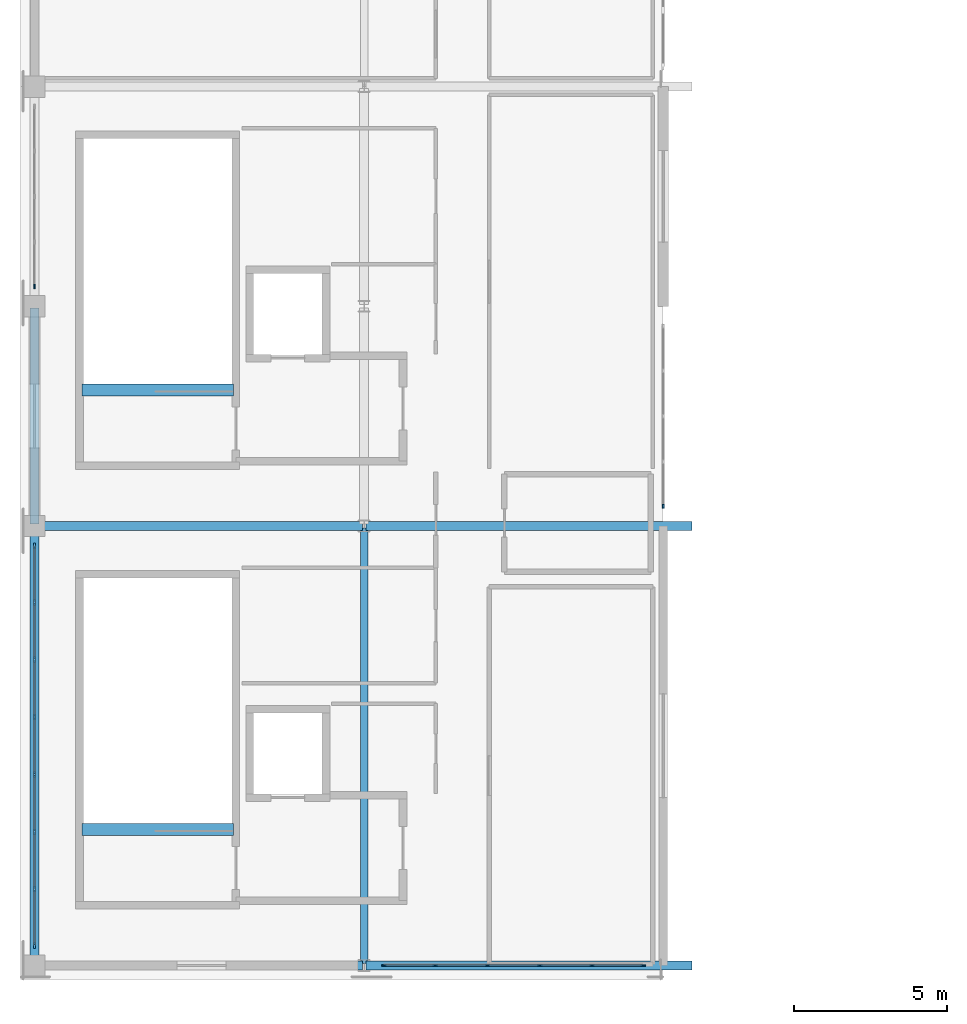
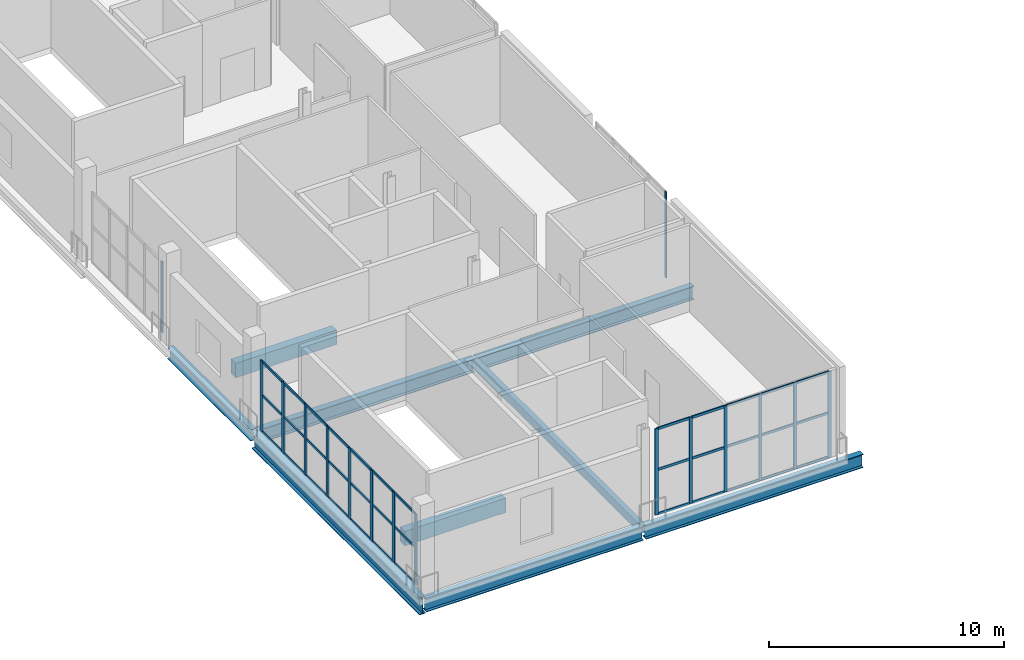
# One storey, part 3 of 19: 52 members, 9 beams, 4 elements without a shape of their own.
"""IFC4 building model written with IfcOpenShell, lengths in metres."""

from ifc_helpers import new_model, si_unit, direction, frame, origin, origin_2d, place, context, subcontext, project, spatial, rectangle, hollow_rectangle, i_section, extrude, material, material_profile, profile_set, type_object, element, aggregate, save


model = new_model("IFC4")

# Units and contexts
model_context = context("Model", 3, precision=1e-05, world=origin(), true_north=direction((0.0, 1.0)))
body_context = subcontext(model_context, "Body", "Model", "MODEL_VIEW")
ifc_project = project(units=[si_unit("LENGTHUNIT", "METRE"), si_unit("AREAUNIT", "SQUARE_METRE"), si_unit("VOLUMEUNIT", "CUBIC_METRE"), si_unit("PLANEANGLEUNIT", "RADIAN"), si_unit("MASSUNIT", "GRAM", prefix="KILO")], contexts=[model_context])

# Site, building, storey
site_placement = place(None, origin())
site = spatial("IfcSite", under=ifc_project, at=site_placement, CompositionType="ELEMENT")
building_placement = place(site_placement, origin())
building = spatial("IfcBuilding", under=site, at=building_placement, Name="Koshinbarg Plaza Stadium", CompositionType="ELEMENT")
storey_placement = place(building_placement, frame((0.0, 0.0, 29.39990234375)))
storey = spatial("IfcBuildingStorey", under=building, at=storey_placement, Name="L06", CompositionType="ELEMENT", Elevation=29.39990234375)

# Beams
ifc_material_1 = material(Name="Concrete C40/50", Category="concrete")
ifc_material_profile_1 = material_profile(ifc_material_1, rectangle(XDim=0.39990234375, YDim=0.75, at=origin_2d()), Name="RC 400x750")
ifc_profile_set_1 = profile_set([ifc_material_profile_1], Name="Concrete C40/50")
beam_type_1 = type_object("IfcBeamType", Name="BM-RCG-03", PredefinedType="USERDEFINED", material=ifc_profile_set_1)
for number, where, z_axis, x_axis, name in (
    (1, (26.14990234375, 29.9599609375, -0.375), (1.0, 0.0, 0.0), (0.0, 1.0, 0.0), "L06 stair landing header beam C01"),
    (2, (26.14990234375, 44.360107421875, -0.375), (1.0, 0.0, 0.0), (0.0, 1.0, 0.0), "L06 stair landing header beam C02"),
):
    element("IfcBeam", number, at=place(storey_placement, frame(where, z_axis=z_axis, x_axis=x_axis)), inside=storey, type_object=beam_type_1, Name=name, ObjectType="GIRDER", PredefinedType="USERDEFINED", context=body_context, shape_type="SweptSolid", body=[
        extrude(rectangle(XDim=0.39990234375, YDim=0.75, at=origin_2d()), origin(), (0.0, 0.0, 1.0), 4.97021484375),
    ])
ifc_material_2 = material(Name="Steel S355", Category="steel")
ifc_material_profile_2 = material_profile(ifc_material_2, i_section(OverallWidth=0.300048828125, OverallDepth=0.60009765625, WebThickness=0.015380859375, FlangeThickness=0.030029296875, at=origin_2d()), Name="HEB 600")
ifc_profile_set_2 = profile_set([ifc_material_profile_2], Name="Steel S355")
beam_type_2 = type_object("IfcBeamType", Name="BM-SGIR-02", PredefinedType="USERDEFINED", material=ifc_profile_set_2)
beam_1_placement = place(storey_placement, frame((24.60009765625, 39.9599609375, -0.599853515625), z_axis=(0.0, 1.0, 0.0), x_axis=(-1.0, 0.0, 0.0)))
element("IfcBeam", 3, at=beam_1_placement, inside=storey, type_object=beam_type_2, Name="L06 Y girder 5/F-G", ObjectType="GIRDER", PredefinedType="USERDEFINED", context=body_context, shape_type="SweptSolid", body=[
    extrude(i_section(OverallWidth=0.300048828125, OverallDepth=0.60009765625, WebThickness=0.015380859375, FlangeThickness=0.030029296875, at=origin_2d()), origin(), (0.0, 0.0, 1.0), 7.080078125),
])
ifc_material_profile_3 = material_profile(ifc_material_2, i_section(OverallWidth=0.300048828125, OverallDepth=0.699951171875, WebThickness=0.01708984375, FlangeThickness=0.031982421875, at=origin_2d()), Name="HEB 700")
ifc_profile_set_3 = profile_set([ifc_material_profile_3], Name="Steel S355")
beam_type_3 = type_object("IfcBeamType", Name="BM-SGIR-03", PredefinedType="USERDEFINED", material=ifc_profile_set_3)
beam_2_placement = place(storey_placement, frame((24.659912109375, 25.5, -0.64990234375), z_axis=(1.0, 0.0, 0.0), x_axis=(0.0, 1.0, 0.0)))
element("IfcBeam", 4, at=beam_2_placement, inside=storey, type_object=beam_type_3, Name="L06 X girder E/5-6", ObjectType="GIRDER", PredefinedType="USERDEFINED", context=body_context, shape_type="SweptSolid", body=[
    extrude(i_section(OverallWidth=0.300048828125, OverallDepth=0.699951171875, WebThickness=0.01708984375, FlangeThickness=0.031982421875, at=origin_2d()), origin(), (0.0, 0.0, 1.0), 10.68017578125),
])
beam_3_placement = place(storey_placement, frame((35.4599609375, 25.5, -0.64990234375), z_axis=(1.0, 0.0, 0.0), x_axis=(0.0, 1.0, 0.0)))
element("IfcBeam", 5, at=beam_3_placement, inside=storey, type_object=beam_type_3, Name="L06 X girder E/6-7", ObjectType="GIRDER", PredefinedType="USERDEFINED", context=body_context, shape_type="SweptSolid", body=[
    extrude(i_section(OverallWidth=0.300048828125, OverallDepth=0.699951171875, WebThickness=0.01708984375, FlangeThickness=0.031982421875, at=origin_2d()), origin(), (0.0, 0.0, 1.0), 10.679931640625),
])
beam_4_placement = place(storey_placement, frame((24.659912109375, 39.89990234375, -0.64990234375), z_axis=(1.0, 0.0, 0.0), x_axis=(0.0, 1.0, 0.0)))
element("IfcBeam", 6, at=beam_4_placement, inside=storey, type_object=beam_type_3, Name="L06 X girder F/5-6", ObjectType="GIRDER", PredefinedType="USERDEFINED", context=body_context, shape_type="SweptSolid", body=[
    extrude(i_section(OverallWidth=0.300048828125, OverallDepth=0.699951171875, WebThickness=0.01708984375, FlangeThickness=0.031982421875, at=origin_2d()), origin(), (0.0, 0.0, 1.0), 10.68017578125),
])
beam_5_placement = place(storey_placement, frame((35.4599609375, 39.89990234375, -0.64990234375), z_axis=(1.0, 0.0, 0.0), x_axis=(0.0, 1.0, 0.0)))
element("IfcBeam", 7, at=beam_5_placement, inside=storey, type_object=beam_type_3, Name="L06 X girder F/6-7", ObjectType="GIRDER", PredefinedType="USERDEFINED", context=body_context, shape_type="SweptSolid", body=[
    extrude(i_section(OverallWidth=0.300048828125, OverallDepth=0.699951171875, WebThickness=0.01708984375, FlangeThickness=0.031982421875, at=origin_2d()), origin(), (0.0, 0.0, 1.0), 10.679931640625),
])
ifc_material_profile_4 = material_profile(ifc_material_2, i_section(OverallWidth=0.300048828125, OverallDepth=0.89990234375, WebThickness=0.0185546875, FlangeThickness=0.034912109375, at=origin_2d()), Name="HEB 900")
ifc_profile_set_4 = profile_set([ifc_material_profile_4], Name="Steel S355")
beam_type_4 = type_object("IfcBeamType", Name="BM-SGIR-05", PredefinedType="USERDEFINED", material=ifc_profile_set_4)
beam_6_placement = place(storey_placement, frame((24.60009765625, 25.56005859375, -0.75), z_axis=(0.0, 1.0, 0.0), x_axis=(-1.0, 0.0, 0.0)))
element("IfcBeam", 8, at=beam_6_placement, inside=storey, type_object=beam_type_4, Name="L06 Y girder 5/E-F", ObjectType="GIRDER", PredefinedType="USERDEFINED", context=body_context, shape_type="SweptSolid", body=[
    extrude(i_section(OverallWidth=0.300048828125, OverallDepth=0.89990234375, WebThickness=0.0185546875, FlangeThickness=0.034912109375, at=origin_2d()), origin(), (0.0, 0.0, 1.0), 14.280029296875),
])
ifc_material_profile_5 = material_profile(ifc_material_2, hollow_rectangle(XDim=0.25, YDim=0.449951171875, WallThickness=0.01611328125, at=origin_2d()), Name="RHS 450x250x16")
ifc_profile_set_5 = profile_set([ifc_material_profile_5], Name="Steel S355")
beam_type_5 = type_object("IfcBeamType", Name="BM-SGIR-06", PredefinedType="USERDEFINED", material=ifc_profile_set_5)
beam_7_placement = place(storey_placement, frame((35.39990234375, 25.56005859375, -0.52490234375), z_axis=(0.0, 1.0, 0.0), x_axis=(-1.0, 0.0, 0.0)))
element("IfcBeam", 9, at=beam_7_placement, inside=storey, type_object=beam_type_5, Name="L06 Y girder 6/E-F", ObjectType="GIRDER", PredefinedType="USERDEFINED", context=body_context, shape_type="SweptSolid", body=[
    extrude(hollow_rectangle(XDim=0.25, YDim=0.449951171875, WallThickness=0.01611328125, at=origin_2d()), origin(), (0.0, 0.0, 1.0), 14.280029296875),
])

# Curtain wall, member
ifc_material_3 = material(Name="Thermally broken anodised aluminium and low-E double glazing", Category="aluminium")
curtain_wall_type_1 = type_object("IfcCurtainWallType", Name="CW-SYS-09", PredefinedType="NOTDEFINED", material=ifc_material_3)
curtain_wall_1_placement = place(storey_placement, origin())
curtain_wall_1 = element("IfcCurtainWall", 10, at=curtain_wall_1_placement, inside=storey, type_object=curtain_wall_type_1, Name="L06 unitised curtain wall CW-L06-152", PredefinedType="NOTDEFINED")
ifc_material_4 = material(Name="Anodised aluminium mullion", Category="aluminium")
ifc_material_profile_6 = material_profile(ifc_material_4, rectangle(XDim=0.06005859375, YDim=0.139892578125, at=origin_2d()), Name="ALU 60x140")
ifc_profile_set_6 = profile_set([ifc_material_profile_6], Name="Anodised aluminium mullion")
member_type_1 = type_object("IfcMemberType", Name="CW-MUL-01", PredefinedType="MULLION", material=ifc_profile_set_6)
member_1_placement = place(storey_placement, frame((24.60009765625, 47.75, 0.0), z_axis=(0.0, 0.0, 1.0), x_axis=(-1.0, 0.0, 0.0)))
member_1 = element("IfcMember", 11, at=member_1_placement, type_object=member_type_1, Name="CW09 mullion 1", PredefinedType="MULLION", context=body_context, shape_type="SweptSolid", body=[
    extrude(rectangle(XDim=0.06005859375, YDim=0.139892578125, at=origin_2d()), origin(), (0.0, 0.0, 1.0), 3.68017578125),
])
aggregate(curtain_wall_1, [member_1])

curtain_wall_type_2 = type_object("IfcCurtainWallType", Name="CW-SYS-01", PredefinedType="NOTDEFINED", material=ifc_material_3)
curtain_wall_2_placement = place(storey_placement, origin())
curtain_wall_2 = element("IfcCurtainWall", 12, at=curtain_wall_2_placement, inside=storey, type_object=curtain_wall_type_2, Name="L06 unitised curtain wall CW-L06-160", PredefinedType="NOTDEFINED")
member_2_placement = place(storey_placement, frame((45.199951171875, 40.550048828125, 0.0), z_axis=(0.0, 0.0, 1.0), x_axis=(1.0, 0.0, 0.0)))
member_2 = element("IfcMember", 13, at=member_2_placement, type_object=member_type_1, Name="CW01 mullion 5", PredefinedType="MULLION", context=body_context, shape_type="SweptSolid", body=[
    extrude(rectangle(XDim=0.06005859375, YDim=0.139892578125, at=origin_2d()), origin(), (0.0, 0.0, 1.0), 4.47998046875),
])
aggregate(curtain_wall_2, [member_2])

# Curtain wall, members
curtain_wall_type_3 = type_object("IfcCurtainWallType", Name="CW-SYS-02", PredefinedType="NOTDEFINED", material=ifc_material_3)
curtain_wall_3_placement = place(storey_placement, origin())
curtain_wall_3 = element("IfcCurtainWall", 14, at=curtain_wall_3_placement, inside=storey, type_object=curtain_wall_type_3, Name="L06 unitised curtain wall CW-L06-161", PredefinedType="NOTDEFINED")
ifc_material_profile_7 = material_profile(ifc_material_4, rectangle(XDim=0.06005859375, YDim=0.159912109375, at=origin_2d()), Name="ALU 60x160")
ifc_profile_set_7 = profile_set([ifc_material_profile_7], Name="Anodised aluminium mullion")
member_type_2 = type_object("IfcMemberType", Name="CW-MUL-02", PredefinedType="MULLION", material=ifc_profile_set_7)
member_3_placement = place(storey_placement, frame((44.550048828125, 25.5, 0.0), z_axis=(0.0, 0.0, 1.0), x_axis=(0.0, -1.0, 0.0)))
member_3 = element("IfcMember", 15, at=member_3_placement, type_object=member_type_2, Name="CW02 mullion 1", PredefinedType="MULLION", context=body_context, shape_type="SweptSolid", body=[
    extrude(rectangle(XDim=0.06005859375, YDim=0.159912109375, at=origin_2d()), origin(), (0.0, 0.0, 1.0), 4.47998046875),
])
member_4_placement = place(storey_placement, frame((42.867919921875, 25.5, 0.0), z_axis=(0.0, 0.0, 1.0), x_axis=(0.0, -1.0, 0.0)))
member_4 = element("IfcMember", 16, at=member_4_placement, type_object=member_type_2, Name="CW02 mullion 2", PredefinedType="MULLION", context=body_context, shape_type="SweptSolid", body=[
    extrude(rectangle(XDim=0.06005859375, YDim=0.159912109375, at=origin_2d()), origin(), (0.0, 0.0, 1.0), 4.47998046875),
])
member_5_placement = place(storey_placement, frame((41.156005859375, 25.5, 0.0), z_axis=(0.0, 0.0, 1.0), x_axis=(0.0, -1.0, 0.0)))
member_5 = element("IfcMember", 17, at=member_5_placement, type_object=member_type_2, Name="CW02 mullion 3", PredefinedType="MULLION", context=body_context, shape_type="SweptSolid", body=[
    extrude(rectangle(XDim=0.06005859375, YDim=0.159912109375, at=origin_2d()), origin(), (0.0, 0.0, 1.0), 4.47998046875),
])
member_6_placement = place(storey_placement, frame((39.444091796875, 25.5, 0.0), z_axis=(0.0, 0.0, 1.0), x_axis=(0.0, -1.0, 0.0)))
member_6 = element("IfcMember", 18, at=member_6_placement, type_object=member_type_2, Name="CW02 mullion 4", PredefinedType="MULLION", context=body_context, shape_type="SweptSolid", body=[
    extrude(rectangle(XDim=0.06005859375, YDim=0.159912109375, at=origin_2d()), origin(), (0.0, 0.0, 1.0), 4.47998046875),
])
member_7_placement = place(storey_placement, frame((37.73193359375, 25.5, 0.0), z_axis=(0.0, 0.0, 1.0), x_axis=(0.0, -1.0, 0.0)))
member_7 = element("IfcMember", 19, at=member_7_placement, type_object=member_type_2, Name="CW02 mullion 5", PredefinedType="MULLION", context=body_context, shape_type="SweptSolid", body=[
    extrude(rectangle(XDim=0.06005859375, YDim=0.159912109375, at=origin_2d()), origin(), (0.0, 0.0, 1.0), 4.47998046875),
])
member_8_placement = place(storey_placement, frame((36.050048828125, 25.5, 0.0), z_axis=(0.0, 0.0, 1.0), x_axis=(0.0, -1.0, 0.0)))
member_8 = element("IfcMember", 20, at=member_8_placement, type_object=member_type_2, Name="CW02 mullion 6", PredefinedType="MULLION", context=body_context, shape_type="SweptSolid", body=[
    extrude(rectangle(XDim=0.06005859375, YDim=0.159912109375, at=origin_2d()), origin(), (0.0, 0.0, 1.0), 4.47998046875),
])

curtain_wall_type_4 = type_object("IfcCurtainWallType", Name="CW-SYS-08", PredefinedType="NOTDEFINED", material=ifc_material_3)
curtain_wall_4_placement = place(storey_placement, origin())
curtain_wall_4 = element("IfcCurtainWall", 21, at=curtain_wall_4_placement, inside=storey, type_object=curtain_wall_type_4, Name="L06 unitised curtain wall CW-L06-151", PredefinedType="NOTDEFINED")
ifc_material_profile_8 = material_profile(ifc_material_4, rectangle(XDim=0.070068359375, YDim=0.199951171875, at=origin_2d()), Name="ALU 70x200")
ifc_profile_set_8 = profile_set([ifc_material_profile_8], Name="Anodised aluminium mullion")
member_type_3 = type_object("IfcMemberType", Name="CW-MUL-04", PredefinedType="MULLION", material=ifc_profile_set_8)
member_9_placement = place(storey_placement, frame((24.60009765625, 26.14990234375, 0.0), z_axis=(0.0, 0.0, 1.0), x_axis=(-1.0, 0.0, 0.0)))
member_9 = element("IfcMember", 22, at=member_9_placement, type_object=member_type_3, Name="CW08 mullion 1", PredefinedType="MULLION", context=body_context, shape_type="SweptSolid", body=[
    extrude(rectangle(XDim=0.070068359375, YDim=0.199951171875, at=origin_2d()), origin(), (0.0, 0.0, 1.0), 3.68017578125),
])
member_10_placement = place(storey_placement, frame((24.60009765625, 28.0, 0.0), z_axis=(0.0, 0.0, 1.0), x_axis=(-1.0, 0.0, 0.0)))
member_10 = element("IfcMember", 23, at=member_10_placement, type_object=member_type_3, Name="CW08 mullion 2", PredefinedType="MULLION", context=body_context, shape_type="SweptSolid", body=[
    extrude(rectangle(XDim=0.070068359375, YDim=0.199951171875, at=origin_2d()), origin(), (0.0, 0.0, 1.0), 3.68017578125),
])
member_11_placement = place(storey_placement, frame((24.60009765625, 29.8798828125, 0.0), z_axis=(0.0, 0.0, 1.0), x_axis=(-1.0, 0.0, 0.0)))
member_11 = element("IfcMember", 24, at=member_11_placement, type_object=member_type_3, Name="CW08 mullion 3", PredefinedType="MULLION", context=body_context, shape_type="SweptSolid", body=[
    extrude(rectangle(XDim=0.070068359375, YDim=0.199951171875, at=origin_2d()), origin(), (0.0, 0.0, 1.0), 3.68017578125),
])
member_12_placement = place(storey_placement, frame((24.60009765625, 31.760009765625, 0.0), z_axis=(0.0, 0.0, 1.0), x_axis=(-1.0, 0.0, 0.0)))
member_12 = element("IfcMember", 25, at=member_12_placement, type_object=member_type_3, Name="CW08 mullion 4", PredefinedType="MULLION", context=body_context, shape_type="SweptSolid", body=[
    extrude(rectangle(XDim=0.070068359375, YDim=0.199951171875, at=origin_2d()), origin(), (0.0, 0.0, 1.0), 3.68017578125),
])
member_13_placement = place(storey_placement, frame((24.60009765625, 33.639892578125, 0.0), z_axis=(0.0, 0.0, 1.0), x_axis=(-1.0, 0.0, 0.0)))
member_13 = element("IfcMember", 26, at=member_13_placement, type_object=member_type_3, Name="CW08 mullion 5", PredefinedType="MULLION", context=body_context, shape_type="SweptSolid", body=[
    extrude(rectangle(XDim=0.070068359375, YDim=0.199951171875, at=origin_2d()), origin(), (0.0, 0.0, 1.0), 3.68017578125),
])
member_14_placement = place(storey_placement, frame((24.60009765625, 35.52001953125, 0.0), z_axis=(0.0, 0.0, 1.0), x_axis=(-1.0, 0.0, 0.0)))
member_14 = element("IfcMember", 27, at=member_14_placement, type_object=member_type_3, Name="CW08 mullion 6", PredefinedType="MULLION", context=body_context, shape_type="SweptSolid", body=[
    extrude(rectangle(XDim=0.070068359375, YDim=0.199951171875, at=origin_2d()), origin(), (0.0, 0.0, 1.0), 3.68017578125),
])
member_15_placement = place(storey_placement, frame((24.60009765625, 37.39990234375, 0.0), z_axis=(0.0, 0.0, 1.0), x_axis=(-1.0, 0.0, 0.0)))
member_15 = element("IfcMember", 28, at=member_15_placement, type_object=member_type_3, Name="CW08 mullion 7", PredefinedType="MULLION", context=body_context, shape_type="SweptSolid", body=[
    extrude(rectangle(XDim=0.070068359375, YDim=0.199951171875, at=origin_2d()), origin(), (0.0, 0.0, 1.0), 3.68017578125),
])
member_16_placement = place(storey_placement, frame((24.60009765625, 39.25, 0.0), z_axis=(0.0, 0.0, 1.0), x_axis=(-1.0, 0.0, 0.0)))
member_16 = element("IfcMember", 29, at=member_16_placement, type_object=member_type_3, Name="CW08 mullion 8", PredefinedType="MULLION", context=body_context, shape_type="SweptSolid", body=[
    extrude(rectangle(XDim=0.070068359375, YDim=0.199951171875, at=origin_2d()), origin(), (0.0, 0.0, 1.0), 3.68017578125),
])
ifc_material_5 = material(Name="Anodised aluminium transom", Category="aluminium")
ifc_material_profile_9 = material_profile(ifc_material_5, rectangle(XDim=0.06005859375, YDim=0.1298828125, at=origin_2d()), Name="ALU 60x130")
ifc_profile_set_9 = profile_set([ifc_material_profile_9], Name="Anodised aluminium transom")
member_type_4 = type_object("IfcMemberType", Name="CW-TRN-02", PredefinedType="USERDEFINED", material=ifc_profile_set_9)
member_17_placement = place(storey_placement, frame((24.60009765625, 26.179931640625, 0.030029296875), z_axis=(0.0, 1.0, 0.0), x_axis=(-1.0, 0.0, 0.0)))
member_17 = element("IfcMember", 30, at=member_17_placement, type_object=member_type_4, Name="CW08 transom 1.1", ObjectType="TRANSOM", PredefinedType="USERDEFINED", context=body_context, shape_type="SweptSolid", body=[
    extrude(rectangle(XDim=0.06005859375, YDim=0.1298828125, at=origin_2d()), origin(), (0.0, 0.0, 1.0), 1.7900390625),
])
member_18_placement = place(storey_placement, frame((24.60009765625, 26.179931640625, 1.913818359375), z_axis=(0.0, 1.0, 0.0), x_axis=(-1.0, 0.0, 0.0)))
member_18 = element("IfcMember", 31, at=member_18_placement, type_object=member_type_4, Name="CW08 transom 1.2", ObjectType="TRANSOM", PredefinedType="USERDEFINED", context=body_context, shape_type="SweptSolid", body=[
    extrude(rectangle(XDim=0.06005859375, YDim=0.1298828125, at=origin_2d()), origin(), (0.0, 0.0, 1.0), 1.7900390625),
])
member_19_placement = place(storey_placement, frame((24.60009765625, 26.179931640625, 3.650146484375), z_axis=(0.0, 1.0, 0.0), x_axis=(-1.0, 0.0, 0.0)))
member_19 = element("IfcMember", 32, at=member_19_placement, type_object=member_type_4, Name="CW08 transom 1.3", ObjectType="TRANSOM", PredefinedType="USERDEFINED", context=body_context, shape_type="SweptSolid", body=[
    extrude(rectangle(XDim=0.06005859375, YDim=0.1298828125, at=origin_2d()), origin(), (0.0, 0.0, 1.0), 1.7900390625),
])
member_20_placement = place(storey_placement, frame((24.60009765625, 28.030029296875, 0.030029296875), z_axis=(0.0, 1.0, 0.0), x_axis=(-1.0, 0.0, 0.0)))
member_20 = element("IfcMember", 33, at=member_20_placement, type_object=member_type_4, Name="CW08 transom 2.1", ObjectType="TRANSOM", PredefinedType="USERDEFINED", context=body_context, shape_type="SweptSolid", body=[
    extrude(rectangle(XDim=0.06005859375, YDim=0.1298828125, at=origin_2d()), origin(), (0.0, 0.0, 1.0), 1.820068359375),
])
member_21_placement = place(storey_placement, frame((24.60009765625, 28.030029296875, 1.913818359375), z_axis=(0.0, 1.0, 0.0), x_axis=(-1.0, 0.0, 0.0)))
member_21 = element("IfcMember", 34, at=member_21_placement, type_object=member_type_4, Name="CW08 transom 2.2", ObjectType="TRANSOM", PredefinedType="USERDEFINED", context=body_context, shape_type="SweptSolid", body=[
    extrude(rectangle(XDim=0.06005859375, YDim=0.1298828125, at=origin_2d()), origin(), (0.0, 0.0, 1.0), 1.820068359375),
])
member_22_placement = place(storey_placement, frame((24.60009765625, 28.030029296875, 3.650146484375), z_axis=(0.0, 1.0, 0.0), x_axis=(-1.0, 0.0, 0.0)))
member_22 = element("IfcMember", 35, at=member_22_placement, type_object=member_type_4, Name="CW08 transom 2.3", ObjectType="TRANSOM", PredefinedType="USERDEFINED", context=body_context, shape_type="SweptSolid", body=[
    extrude(rectangle(XDim=0.06005859375, YDim=0.1298828125, at=origin_2d()), origin(), (0.0, 0.0, 1.0), 1.820068359375),
])
member_23_placement = place(storey_placement, frame((24.60009765625, 29.909912109375, 0.030029296875), z_axis=(0.0, 1.0, 0.0), x_axis=(-1.0, 0.0, 0.0)))
member_23 = element("IfcMember", 36, at=member_23_placement, type_object=member_type_4, Name="CW08 transom 3.1", ObjectType="TRANSOM", PredefinedType="USERDEFINED", context=body_context, shape_type="SweptSolid", body=[
    extrude(rectangle(XDim=0.06005859375, YDim=0.1298828125, at=origin_2d()), origin(), (0.0, 0.0, 1.0), 1.820068359375),
])
member_24_placement = place(storey_placement, frame((24.60009765625, 29.909912109375, 1.913818359375), z_axis=(0.0, 1.0, 0.0), x_axis=(-1.0, 0.0, 0.0)))
member_24 = element("IfcMember", 37, at=member_24_placement, type_object=member_type_4, Name="CW08 transom 3.2", ObjectType="TRANSOM", PredefinedType="USERDEFINED", context=body_context, shape_type="SweptSolid", body=[
    extrude(rectangle(XDim=0.06005859375, YDim=0.1298828125, at=origin_2d()), origin(), (0.0, 0.0, 1.0), 1.820068359375),
])
member_25_placement = place(storey_placement, frame((24.60009765625, 29.909912109375, 3.650146484375), z_axis=(0.0, 1.0, 0.0), x_axis=(-1.0, 0.0, 0.0)))
member_25 = element("IfcMember", 38, at=member_25_placement, type_object=member_type_4, Name="CW08 transom 3.3", ObjectType="TRANSOM", PredefinedType="USERDEFINED", context=body_context, shape_type="SweptSolid", body=[
    extrude(rectangle(XDim=0.06005859375, YDim=0.1298828125, at=origin_2d()), origin(), (0.0, 0.0, 1.0), 1.820068359375),
])
member_26_placement = place(storey_placement, frame((24.60009765625, 31.7900390625, 0.030029296875), z_axis=(0.0, 1.0, 0.0), x_axis=(-1.0, 0.0, 0.0)))
member_26 = element("IfcMember", 39, at=member_26_placement, type_object=member_type_4, Name="CW08 transom 4.1", ObjectType="TRANSOM", PredefinedType="USERDEFINED", context=body_context, shape_type="SweptSolid", body=[
    extrude(rectangle(XDim=0.06005859375, YDim=0.1298828125, at=origin_2d()), origin(), (0.0, 0.0, 1.0), 1.820068359375),
])
member_27_placement = place(storey_placement, frame((24.60009765625, 31.7900390625, 1.913818359375), z_axis=(0.0, 1.0, 0.0), x_axis=(-1.0, 0.0, 0.0)))
member_27 = element("IfcMember", 40, at=member_27_placement, type_object=member_type_4, Name="CW08 transom 4.2", ObjectType="TRANSOM", PredefinedType="USERDEFINED", context=body_context, shape_type="SweptSolid", body=[
    extrude(rectangle(XDim=0.06005859375, YDim=0.1298828125, at=origin_2d()), origin(), (0.0, 0.0, 1.0), 1.820068359375),
])
member_28_placement = place(storey_placement, frame((24.60009765625, 31.7900390625, 3.650146484375), z_axis=(0.0, 1.0, 0.0), x_axis=(-1.0, 0.0, 0.0)))
member_28 = element("IfcMember", 41, at=member_28_placement, type_object=member_type_4, Name="CW08 transom 4.3", ObjectType="TRANSOM", PredefinedType="USERDEFINED", context=body_context, shape_type="SweptSolid", body=[
    extrude(rectangle(XDim=0.06005859375, YDim=0.1298828125, at=origin_2d()), origin(), (0.0, 0.0, 1.0), 1.820068359375),
])
member_29_placement = place(storey_placement, frame((24.60009765625, 33.669921875, 0.030029296875), z_axis=(0.0, 1.0, 0.0), x_axis=(-1.0, 0.0, 0.0)))
member_29 = element("IfcMember", 42, at=member_29_placement, type_object=member_type_4, Name="CW08 transom 5.1", ObjectType="TRANSOM", PredefinedType="USERDEFINED", context=body_context, shape_type="SweptSolid", body=[
    extrude(rectangle(XDim=0.06005859375, YDim=0.1298828125, at=origin_2d()), origin(), (0.0, 0.0, 1.0), 1.820068359375),
])
member_30_placement = place(storey_placement, frame((24.60009765625, 33.669921875, 1.913818359375), z_axis=(0.0, 1.0, 0.0), x_axis=(-1.0, 0.0, 0.0)))
member_30 = element("IfcMember", 43, at=member_30_placement, type_object=member_type_4, Name="CW08 transom 5.2", ObjectType="TRANSOM", PredefinedType="USERDEFINED", context=body_context, shape_type="SweptSolid", body=[
    extrude(rectangle(XDim=0.06005859375, YDim=0.1298828125, at=origin_2d()), origin(), (0.0, 0.0, 1.0), 1.820068359375),
])
member_31_placement = place(storey_placement, frame((24.60009765625, 33.669921875, 3.650146484375), z_axis=(0.0, 1.0, 0.0), x_axis=(-1.0, 0.0, 0.0)))
member_31 = element("IfcMember", 44, at=member_31_placement, type_object=member_type_4, Name="CW08 transom 5.3", ObjectType="TRANSOM", PredefinedType="USERDEFINED", context=body_context, shape_type="SweptSolid", body=[
    extrude(rectangle(XDim=0.06005859375, YDim=0.1298828125, at=origin_2d()), origin(), (0.0, 0.0, 1.0), 1.820068359375),
])
member_32_placement = place(storey_placement, frame((24.60009765625, 35.550048828125, 0.030029296875), z_axis=(0.0, 1.0, 0.0), x_axis=(-1.0, 0.0, 0.0)))
member_32 = element("IfcMember", 45, at=member_32_placement, type_object=member_type_4, Name="CW08 transom 6.1", ObjectType="TRANSOM", PredefinedType="USERDEFINED", context=body_context, shape_type="SweptSolid", body=[
    extrude(rectangle(XDim=0.06005859375, YDim=0.1298828125, at=origin_2d()), origin(), (0.0, 0.0, 1.0), 1.820068359375),
])
member_33_placement = place(storey_placement, frame((24.60009765625, 35.550048828125, 1.913818359375), z_axis=(0.0, 1.0, 0.0), x_axis=(-1.0, 0.0, 0.0)))
member_33 = element("IfcMember", 46, at=member_33_placement, type_object=member_type_4, Name="CW08 transom 6.2", ObjectType="TRANSOM", PredefinedType="USERDEFINED", context=body_context, shape_type="SweptSolid", body=[
    extrude(rectangle(XDim=0.06005859375, YDim=0.1298828125, at=origin_2d()), origin(), (0.0, 0.0, 1.0), 1.820068359375),
])
member_34_placement = place(storey_placement, frame((24.60009765625, 35.550048828125, 3.650146484375), z_axis=(0.0, 1.0, 0.0), x_axis=(-1.0, 0.0, 0.0)))
member_34 = element("IfcMember", 47, at=member_34_placement, type_object=member_type_4, Name="CW08 transom 6.3", ObjectType="TRANSOM", PredefinedType="USERDEFINED", context=body_context, shape_type="SweptSolid", body=[
    extrude(rectangle(XDim=0.06005859375, YDim=0.1298828125, at=origin_2d()), origin(), (0.0, 0.0, 1.0), 1.820068359375),
])
member_35_placement = place(storey_placement, frame((24.60009765625, 37.429931640625, 0.030029296875), z_axis=(0.0, 1.0, 0.0), x_axis=(-1.0, 0.0, 0.0)))
member_35 = element("IfcMember", 48, at=member_35_placement, type_object=member_type_4, Name="CW08 transom 7.1", ObjectType="TRANSOM", PredefinedType="USERDEFINED", context=body_context, shape_type="SweptSolid", body=[
    extrude(rectangle(XDim=0.06005859375, YDim=0.1298828125, at=origin_2d()), origin(), (0.0, 0.0, 1.0), 1.7900390625),
])
member_36_placement = place(storey_placement, frame((24.60009765625, 37.429931640625, 1.913818359375), z_axis=(0.0, 1.0, 0.0), x_axis=(-1.0, 0.0, 0.0)))
member_36 = element("IfcMember", 49, at=member_36_placement, type_object=member_type_4, Name="CW08 transom 7.2", ObjectType="TRANSOM", PredefinedType="USERDEFINED", context=body_context, shape_type="SweptSolid", body=[
    extrude(rectangle(XDim=0.06005859375, YDim=0.1298828125, at=origin_2d()), origin(), (0.0, 0.0, 1.0), 1.7900390625),
])
member_37_placement = place(storey_placement, frame((24.60009765625, 37.429931640625, 3.650146484375), z_axis=(0.0, 1.0, 0.0), x_axis=(-1.0, 0.0, 0.0)))
member_37 = element("IfcMember", 50, at=member_37_placement, type_object=member_type_4, Name="CW08 transom 7.3", ObjectType="TRANSOM", PredefinedType="USERDEFINED", context=body_context, shape_type="SweptSolid", body=[
    extrude(rectangle(XDim=0.06005859375, YDim=0.1298828125, at=origin_2d()), origin(), (0.0, 0.0, 1.0), 1.7900390625),
])
aggregate(curtain_wall_4, [member_9, member_10, member_11, member_12, member_13, member_14, member_15, member_16, member_17, member_18, member_19, member_20, member_21, member_22, member_23, member_24, member_25, member_26, member_27, member_28, member_29, member_30, member_31, member_32, member_33, member_34, member_35, member_36, member_37])

# Member
member_38_placement = place(storey_placement, frame((44.52001953125, 25.5, 0.030029296875), z_axis=(-1.0, 0.0, 0.0), x_axis=(0.0, -1.0, 0.0)))
member_38 = element("IfcMember", 51, at=member_38_placement, type_object=member_type_4, Name="CW02 transom 1.1", ObjectType="TRANSOM", PredefinedType="USERDEFINED", context=body_context, shape_type="SweptSolid", body=[
    extrude(rectangle(XDim=0.06005859375, YDim=0.1298828125, at=origin_2d()), origin(), (0.0, 0.0, 1.0), 1.6220703125),
])

member_39_placement = place(storey_placement, frame((44.52001953125, 25.5, 2.32958984375), z_axis=(-1.0, 0.0, 0.0), x_axis=(0.0, -1.0, 0.0)))
member_39 = element("IfcMember", 52, at=member_39_placement, type_object=member_type_4, Name="CW02 transom 1.2", ObjectType="TRANSOM", PredefinedType="USERDEFINED", context=body_context, shape_type="SweptSolid", body=[
    extrude(rectangle(XDim=0.06005859375, YDim=0.1298828125, at=origin_2d()), origin(), (0.0, 0.0, 1.0), 1.6220703125),
])

member_40_placement = place(storey_placement, frame((44.52001953125, 25.5, 4.4501953125), z_axis=(-1.0, 0.0, 0.0), x_axis=(0.0, -1.0, 0.0)))
member_40 = element("IfcMember", 53, at=member_40_placement, type_object=member_type_4, Name="CW02 transom 1.3", ObjectType="TRANSOM", PredefinedType="USERDEFINED", context=body_context, shape_type="SweptSolid", body=[
    extrude(rectangle(XDim=0.06005859375, YDim=0.1298828125, at=origin_2d()), origin(), (0.0, 0.0, 1.0), 1.6220703125),
])

member_41_placement = place(storey_placement, frame((42.837890625, 25.5, 0.030029296875), z_axis=(-1.0, 0.0, 0.0), x_axis=(0.0, -1.0, 0.0)))
member_41 = element("IfcMember", 54, at=member_41_placement, type_object=member_type_4, Name="CW02 transom 2.1", ObjectType="TRANSOM", PredefinedType="USERDEFINED", context=body_context, shape_type="SweptSolid", body=[
    extrude(rectangle(XDim=0.06005859375, YDim=0.1298828125, at=origin_2d()), origin(), (0.0, 0.0, 1.0), 1.65185546875),
])

member_42_placement = place(storey_placement, frame((42.837890625, 25.5, 2.32958984375), z_axis=(-1.0, 0.0, 0.0), x_axis=(0.0, -1.0, 0.0)))
member_42 = element("IfcMember", 55, at=member_42_placement, type_object=member_type_4, Name="CW02 transom 2.2", ObjectType="TRANSOM", PredefinedType="USERDEFINED", context=body_context, shape_type="SweptSolid", body=[
    extrude(rectangle(XDim=0.06005859375, YDim=0.1298828125, at=origin_2d()), origin(), (0.0, 0.0, 1.0), 1.65185546875),
])

member_43_placement = place(storey_placement, frame((42.837890625, 25.5, 4.4501953125), z_axis=(-1.0, 0.0, 0.0), x_axis=(0.0, -1.0, 0.0)))
member_43 = element("IfcMember", 56, at=member_43_placement, type_object=member_type_4, Name="CW02 transom 2.3", ObjectType="TRANSOM", PredefinedType="USERDEFINED", context=body_context, shape_type="SweptSolid", body=[
    extrude(rectangle(XDim=0.06005859375, YDim=0.1298828125, at=origin_2d()), origin(), (0.0, 0.0, 1.0), 1.65185546875),
])

member_44_placement = place(storey_placement, frame((41.1259765625, 25.5, 0.030029296875), z_axis=(-1.0, 0.0, 0.0), x_axis=(0.0, -1.0, 0.0)))
member_44 = element("IfcMember", 57, at=member_44_placement, type_object=member_type_4, Name="CW02 transom 3.1", ObjectType="TRANSOM", PredefinedType="USERDEFINED", context=body_context, shape_type="SweptSolid", body=[
    extrude(rectangle(XDim=0.06005859375, YDim=0.1298828125, at=origin_2d()), origin(), (0.0, 0.0, 1.0), 1.65185546875),
])

member_45_placement = place(storey_placement, frame((41.1259765625, 25.5, 2.32958984375), z_axis=(-1.0, 0.0, 0.0), x_axis=(0.0, -1.0, 0.0)))
member_45 = element("IfcMember", 58, at=member_45_placement, type_object=member_type_4, Name="CW02 transom 3.2", ObjectType="TRANSOM", PredefinedType="USERDEFINED", context=body_context, shape_type="SweptSolid", body=[
    extrude(rectangle(XDim=0.06005859375, YDim=0.1298828125, at=origin_2d()), origin(), (0.0, 0.0, 1.0), 1.65185546875),
])

member_46_placement = place(storey_placement, frame((41.1259765625, 25.5, 4.4501953125), z_axis=(-1.0, 0.0, 0.0), x_axis=(0.0, -1.0, 0.0)))
member_46 = element("IfcMember", 59, at=member_46_placement, type_object=member_type_4, Name="CW02 transom 3.3", ObjectType="TRANSOM", PredefinedType="USERDEFINED", context=body_context, shape_type="SweptSolid", body=[
    extrude(rectangle(XDim=0.06005859375, YDim=0.1298828125, at=origin_2d()), origin(), (0.0, 0.0, 1.0), 1.65185546875),
])

member_47_placement = place(storey_placement, frame((39.4140625, 25.5, 0.030029296875), z_axis=(-1.0, 0.0, 0.0), x_axis=(0.0, -1.0, 0.0)))
member_47 = element("IfcMember", 60, at=member_47_placement, type_object=member_type_4, Name="CW02 transom 4.1", ObjectType="TRANSOM", PredefinedType="USERDEFINED", context=body_context, shape_type="SweptSolid", body=[
    extrude(rectangle(XDim=0.06005859375, YDim=0.1298828125, at=origin_2d()), origin(), (0.0, 0.0, 1.0), 1.652099609375),
])

member_48_placement = place(storey_placement, frame((39.4140625, 25.5, 2.32958984375), z_axis=(-1.0, 0.0, 0.0), x_axis=(0.0, -1.0, 0.0)))
member_48 = element("IfcMember", 61, at=member_48_placement, type_object=member_type_4, Name="CW02 transom 4.2", ObjectType="TRANSOM", PredefinedType="USERDEFINED", context=body_context, shape_type="SweptSolid", body=[
    extrude(rectangle(XDim=0.06005859375, YDim=0.1298828125, at=origin_2d()), origin(), (0.0, 0.0, 1.0), 1.652099609375),
])

member_49_placement = place(storey_placement, frame((39.4140625, 25.5, 4.4501953125), z_axis=(-1.0, 0.0, 0.0), x_axis=(0.0, -1.0, 0.0)))
member_49 = element("IfcMember", 62, at=member_49_placement, type_object=member_type_4, Name="CW02 transom 4.3", ObjectType="TRANSOM", PredefinedType="USERDEFINED", context=body_context, shape_type="SweptSolid", body=[
    extrude(rectangle(XDim=0.06005859375, YDim=0.1298828125, at=origin_2d()), origin(), (0.0, 0.0, 1.0), 1.652099609375),
])

member_50_placement = place(storey_placement, frame((37.701904296875, 25.5, 0.030029296875), z_axis=(-1.0, 0.0, 0.0), x_axis=(0.0, -1.0, 0.0)))
member_50 = element("IfcMember", 63, at=member_50_placement, type_object=member_type_4, Name="CW02 transom 5.1", ObjectType="TRANSOM", PredefinedType="USERDEFINED", context=body_context, shape_type="SweptSolid", body=[
    extrude(rectangle(XDim=0.06005859375, YDim=0.1298828125, at=origin_2d()), origin(), (0.0, 0.0, 1.0), 1.621826171875),
])

member_51_placement = place(storey_placement, frame((37.701904296875, 25.5, 2.32958984375), z_axis=(-1.0, 0.0, 0.0), x_axis=(0.0, -1.0, 0.0)))
member_51 = element("IfcMember", 64, at=member_51_placement, type_object=member_type_4, Name="CW02 transom 5.2", ObjectType="TRANSOM", PredefinedType="USERDEFINED", context=body_context, shape_type="SweptSolid", body=[
    extrude(rectangle(XDim=0.06005859375, YDim=0.1298828125, at=origin_2d()), origin(), (0.0, 0.0, 1.0), 1.621826171875),
])

member_52_placement = place(storey_placement, frame((37.701904296875, 25.5, 4.4501953125), z_axis=(-1.0, 0.0, 0.0), x_axis=(0.0, -1.0, 0.0)))
member_52 = element("IfcMember", 65, at=member_52_placement, type_object=member_type_4, Name="CW02 transom 5.3", ObjectType="TRANSOM", PredefinedType="USERDEFINED", context=body_context, shape_type="SweptSolid", body=[
    extrude(rectangle(XDim=0.06005859375, YDim=0.1298828125, at=origin_2d()), origin(), (0.0, 0.0, 1.0), 1.621826171875),
])

aggregate(curtain_wall_3, [member_3, member_4, member_5, member_6, member_7, member_8, member_38, member_39, member_40, member_41, member_42, member_43, member_44, member_45, member_46, member_47, member_48, member_49, member_50, member_51, member_52])

save(model, "model.ifc")
